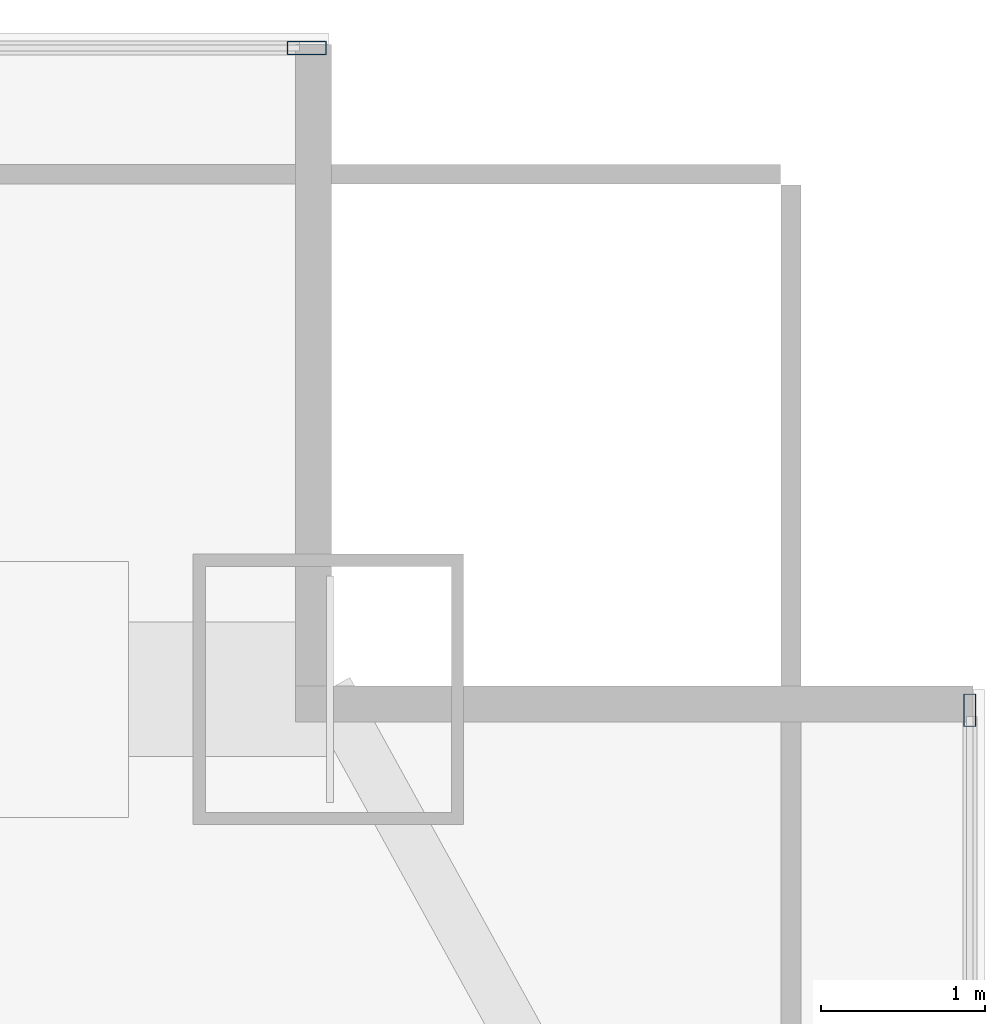
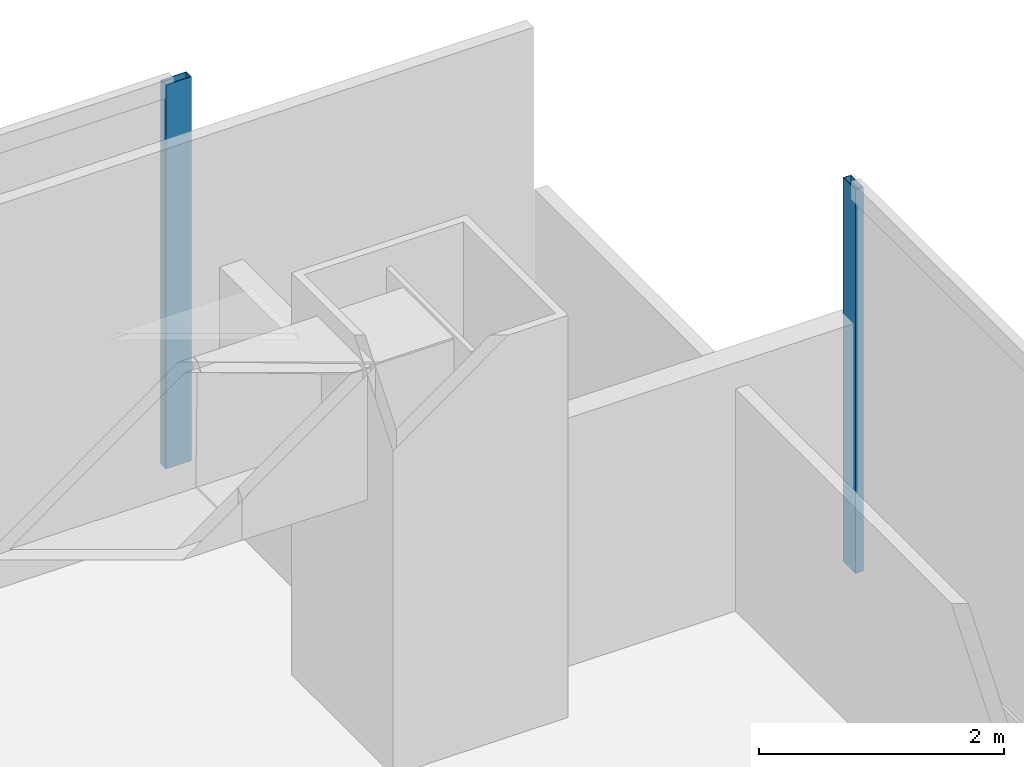
# One storey, part 22 of 32: 2 members, 2 elements without a shape of their own.
"""IFC4 building model written with IfcOpenShell, lengths in metres."""

from ifc_helpers import new_model, si_unit, direction, frame, origin, origin_2d, place, context, subcontext, project, spatial, hollow_rectangle, extrude, material, material_profile, profile_set, type_object, element, aggregate, save


model = new_model("IFC4")

# Units and contexts
model_context = context("Model", 3, precision=1e-05, world=origin(), true_north=direction((0.0, 1.0)))
body_context = subcontext(model_context, "Body", "Model", "MODEL_VIEW")
ifc_project = project(units=[si_unit("LENGTHUNIT", "METRE"), si_unit("AREAUNIT", "SQUARE_METRE"), si_unit("VOLUMEUNIT", "CUBIC_METRE"), si_unit("PLANEANGLEUNIT", "RADIAN"), si_unit("MASSUNIT", "GRAM", prefix="KILO")], contexts=[model_context])

# Site, building, storey
site_placement = place(None, origin())
site = spatial("IfcSite", under=ifc_project, at=site_placement, CompositionType="ELEMENT")
building_placement = place(site_placement, origin())
building = spatial("IfcBuilding", under=site, at=building_placement, Name="Khoronbel Lancet Exchange", CompositionType="ELEMENT")
storey_placement = place(building_placement, frame((0.0, 0.0, 77.800048828125)))
storey = spatial("IfcBuildingStorey", under=building, at=storey_placement, Name="L18", CompositionType="ELEMENT", Elevation=77.800048828125)

# Curtain wall, member
ifc_material_1 = material(Name="Low-E Solar Control Insulating Glass", Category="glass")
curtain_wall_type_1 = type_object("IfcCurtainWallType", Name="CW-1", PredefinedType="NOTDEFINED", material=ifc_material_1)
curtain_wall_1_placement = place(storey_placement, origin())
curtain_wall_1 = element("IfcCurtainWall", 1, at=curtain_wall_1_placement, inside=storey, type_object=curtain_wall_type_1, Name="Unitised curtain wall CW-L18-NEFLK", PredefinedType="NOTDEFINED")
ifc_material_2 = material(Name="Bronze-Anodised Aluminium 6063-T6", Category="aluminium")
ifc_material_profile_1 = material_profile(ifc_material_2, hollow_rectangle(XDim=0.0849609375, YDim=0.239990234375, WallThickness=0.006103515625, at=origin_2d()), Name="ALU MULLION 85x240")
ifc_profile_set_1 = profile_set([ifc_material_profile_1], Name="Bronze-Anodised Aluminium 6063-T6")
member_type_1 = type_object("IfcMemberType", Name="MEM-CWM1", PredefinedType="MULLION", material=ifc_profile_set_1)
member_1_placement = place(storey_placement, frame((67.91748046875, 53.610107421875, 0.0), z_axis=(0.0, 0.0, 1.0), x_axis=(0.0, -1.0, 0.0)))
member_1 = element("IfcMember", 2, at=member_1_placement, type_object=member_type_1, Name="CW1 mullion 1", PredefinedType="MULLION", context=body_context, shape_type="SweptSolid", body=[
    extrude(hollow_rectangle(XDim=0.0849609375, YDim=0.239990234375, WallThickness=0.006103515625, at=origin_2d()), origin(), (0.0, 0.0, 1.0), 3.820068359375),
])
aggregate(curtain_wall_1, [member_1])

curtain_wall_type_2 = type_object("IfcCurtainWallType", Name="CW-4", PredefinedType="NOTDEFINED", material=ifc_material_1)
curtain_wall_2_placement = place(storey_placement, origin())
curtain_wall_2 = element("IfcCurtainWall", 3, at=curtain_wall_2_placement, inside=storey, type_object=curtain_wall_type_2, Name="Unitised curtain wall CW-L18-E09", PredefinedType="NOTDEFINED")
ifc_material_profile_2 = material_profile(ifc_material_2, hollow_rectangle(XDim=0.074951171875, YDim=0.199951171875, WallThickness=0.0048828125, at=origin_2d()), Name="ALU MULLION 75x200")
ifc_profile_set_2 = profile_set([ifc_material_profile_2], Name="Bronze-Anodised Aluminium 6063-T6")
member_type_2 = type_object("IfcMemberType", Name="MEM-CWM2", PredefinedType="MULLION", material=ifc_profile_set_2)
member_2_placement = place(storey_placement, frame((71.9599609375, 49.572509765625, 0.0), z_axis=(0.0, 0.0, 1.0), x_axis=(1.0, 0.0, 0.0)))
member_2 = element("IfcMember", 4, at=member_2_placement, type_object=member_type_2, Name="CW4 mullion 1", PredefinedType="MULLION", context=body_context, shape_type="SweptSolid", body=[
    extrude(hollow_rectangle(XDim=0.074951171875, YDim=0.199951171875, WallThickness=0.0048828125, at=origin_2d()), origin(), (0.0, 0.0, 1.0), 3.820068359375),
])
aggregate(curtain_wall_2, [member_2])

save(model, "model.ifc")
